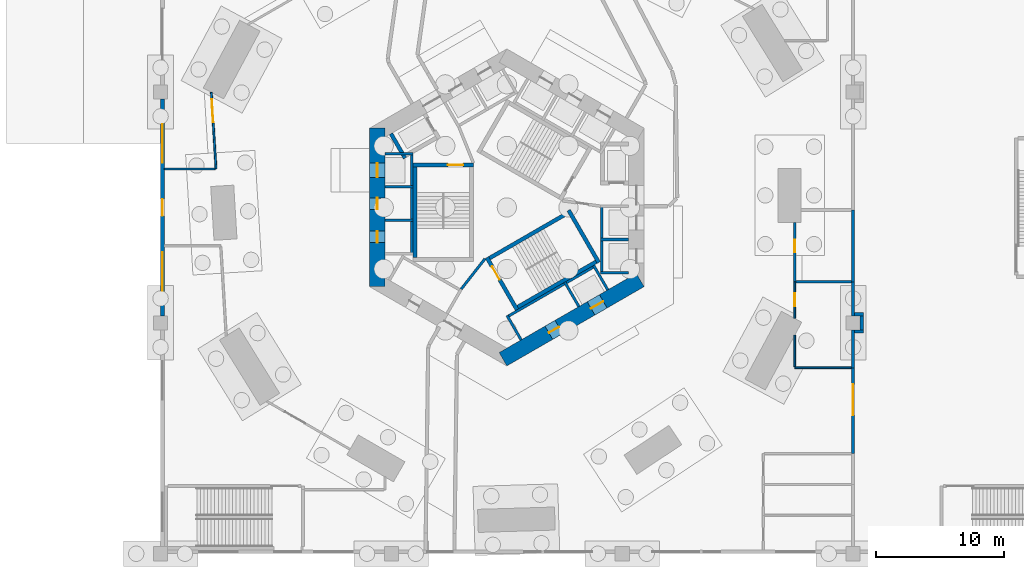
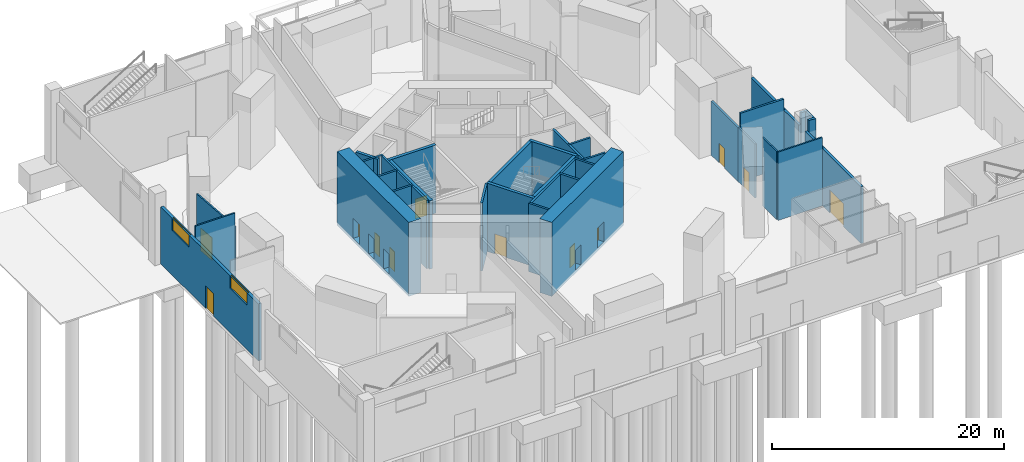
# One storey, part 7 of 16: 36 walls, 12 doors, 2 windows, 14 openings.
"""IFC4 building model written with IfcOpenShell, lengths in metres."""

import ifcopenshell
import ifcopenshell.guid

model = None  # the IFC model being written
_history = None  # IfcOwnerHistory: only IFC2X3 demands one
_inside = {}  # id of a spatial element -> (the spatial element, [elements in it])
_under = {}  # id of a project, library or spatial element -> (it, [spatial elements below it])
_declared = {}  # id of a project -> (the project, [libraries it declares])
_typed = {}  # id of a type object -> (the type object, [elements of that type])
_made_of = {}  # id of a material, layer set ... -> (it, [elements and type objects made of it])


def new_model(schema):
    """Start an empty IFC model of exactly this schema.

    Asked for "IFC4X3", IfcOpenShell would pick the latest addendum, in which some entities
    have other attributes; the version numbers below select the first issue.
    IFC2X3 requires an IfcOwnerHistory on every rooted entity: one is made here for all.
    """
    global model, _history
    if schema == "IFC4X3":
        model = ifcopenshell.file(schema_version=(4, 3, 0, 0))
    else:
        model = ifcopenshell.file(schema=schema)
    _inside.clear()
    _under.clear()
    _declared.clear()
    _typed.clear()
    _made_of.clear()
    _history = None
    if model.schema == "IFC2X3":
        org = make("IfcOrganization", Name="unknown")
        user = make(
            "IfcPersonAndOrganization",
            ThePerson=make("IfcPerson", FamilyName="unknown"),
            TheOrganization=org,
        )
        app = make(
            "IfcApplication",
            ApplicationDeveloper=org,
            Version="unknown",
            ApplicationFullName="unknown",
            ApplicationIdentifier="unknown",
        )
        _history = make(
            "IfcOwnerHistory",
            OwningUser=user,
            OwningApplication=app,
            ChangeAction="ADDED",
            CreationDate=0,
        )
    return model


def make(cls, **values):
    """One entity of the class cls with the attributes given. An attribute that is None is left unset."""
    return model.create_entity(
        cls, **{name: value for name, value in values.items() if value is not None}
    )


def rooted(cls, **values):
    """An entity with a GlobalId (a new one), such as an element, a storey or a relation."""
    return make(cls, GlobalId=ifcopenshell.guid.new(), OwnerHistory=_history, **values)


def si_unit(unit_type, name, prefix=None):
    """IfcSIUnit, for example si_unit("LENGTHUNIT", "METRE", prefix="MILLI")."""
    return make("IfcSIUnit", UnitType=unit_type, Prefix=prefix, Name=name)


def assignment(units):
    """IfcUnitAssignment: the units of a project."""
    return None if units is None else make("IfcUnitAssignment", Units=units)


def point(xyz):
    """IfcCartesianPoint."""
    return None if xyz is None else make("IfcCartesianPoint", Coordinates=xyz)


def direction(xyz):
    """IfcDirection."""
    return None if xyz is None else make("IfcDirection", DirectionRatios=xyz)


def frame(location, z_axis=None, x_axis=None):
    """IfcAxis2Placement3D, a coordinate frame: its origin and axes. An axis left out is left unset."""
    return make(
        "IfcAxis2Placement3D",
        Location=point(location),
        Axis=direction(z_axis),
        RefDirection=direction(x_axis),
    )


def frame_2d(location, x_axis=None):
    """IfcAxis2Placement2D, a coordinate frame in the plane: its origin and x axis."""
    return make(
        "IfcAxis2Placement2D", Location=point(location), RefDirection=direction(x_axis)
    )


def origin():
    """The frame at (0, 0, 0) with its axes left unset."""
    return frame((0.0, 0.0, 0.0))


def place(relative_to, where):
    """IfcLocalPlacement: puts the frame where relative to a parent placement (None: the world)."""
    return make(
        "IfcLocalPlacement", PlacementRelTo=relative_to, RelativePlacement=where
    )


def context(
    kind, dimensions, precision=None, world=None, true_north=None, identifier=None
):
    """IfcGeometricRepresentationContext, for example the 3D "Model" context."""
    return make(
        "IfcGeometricRepresentationContext",
        ContextIdentifier=identifier,
        ContextType=kind,
        CoordinateSpaceDimension=dimensions,
        Precision=precision,
        WorldCoordinateSystem=world,
        TrueNorth=true_north,
    )


def subcontext(parent, identifier, kind, view, scale=None):
    """IfcGeometricRepresentationSubContext, for example "Body" below "Model"."""
    return make(
        "IfcGeometricRepresentationSubContext",
        ContextIdentifier=identifier,
        ContextType=kind,
        ParentContext=parent,
        TargetScale=scale,
        TargetView=view,
    )


def project(units=None, contexts=None):
    """IfcProject with its units and contexts."""
    return rooted(
        "IfcProject",
        Name="project",
        RepresentationContexts=contexts,
        UnitsInContext=assignment(units),
    )


def spatial(cls, under=None, at=None, **own):
    """A site, building, storey or space (cls), placed at a placement, below another one or the project."""
    s = rooted(cls, ObjectPlacement=at, **own)
    if under is not None:
        _under.setdefault(under.id(), (under, []))[1].append(s)
    return s


def profile(cls, at=None, kind="AREA", **sizes):
    """A parametric profile (cls). Its sizes go by their IFC names, for example OverallWidth=200.0."""
    return make(cls, ProfileType=kind, Position=at, **sizes)


def rectangle(**sizes):
    """IfcRectangleProfileDef."""
    return profile("IfcRectangleProfileDef", **sizes)


def extrude(swept, where, along, depth):
    """IfcExtrudedAreaSolid: the profile swept, set in the frame where, extruded along a direction by depth."""
    return make(
        "IfcExtrudedAreaSolid",
        SweptArea=swept,
        Position=where,
        ExtrudedDirection=direction(along),
        Depth=depth,
    )


def shape(context_of_items, identifier, shape_type, items):
    """IfcShapeRepresentation: the items that make up one representation, for example the "Body"."""
    return make(
        "IfcShapeRepresentation",
        ContextOfItems=context_of_items,
        RepresentationIdentifier=identifier,
        RepresentationType=shape_type,
        Items=items,
    )


def material(Name=None, Category=None):
    """IfcMaterial."""
    return make("IfcMaterial", Name=Name, Category=Category)


def layer(
    of_material, thickness, ventilated=None, Name=None, Category=None, Priority=None
):
    """IfcMaterialLayer: one layer of a wall or slab, of a material (None: an air gap)."""
    return make(
        "IfcMaterialLayer",
        Material=of_material,
        LayerThickness=thickness,
        IsVentilated=ventilated,
        Name=Name,
        Category=Category,
        Priority=Priority,
    )


def layer_set(layers, Name=None):
    """IfcMaterialLayerSet."""
    return make("IfcMaterialLayerSet", MaterialLayers=layers, LayerSetName=Name)


def made_of(thing, what):
    """Note that an element or type object is made of a material, layer set ...; save() writes the relation."""
    if what is not None:
        _made_of.setdefault(what.id(), (what, []))[1].append(thing)
    return thing


def type_object(cls, material=None, **own):
    """A type object (cls), such as IfcWallType, which elements share."""
    return made_of(rooted(cls, **own), material)


def element(
    cls,
    number,
    at=None,
    inside=None,
    cuts=None,
    type_object=None,
    material=None,
    context=None,
    identifier="Body",
    shape_type=None,
    held_by="IfcProductDefinitionShape",
    body=None,
    shapes=None,
    **own,
):
    """One element of the class cls, such as IfcWall. Its Tag is "e" and its number.

    at: its placement. inside: the storey or other place that contains it. cuts: it is an
    opening in that element (IfcRelVoidsElement). A single representation is given by context,
    identifier, shape_type and body (its items); several are given by shapes. held_by: the class
    of the entity that holds the representations. save() writes the other relations.
    """
    e = rooted(cls, Tag="e%d" % number, ObjectPlacement=at, **own)
    if body is not None:
        shapes = [shape(context, identifier, shape_type, body)]
    if shapes is not None:
        e.Representation = make(held_by, Representations=shapes)
    if inside is not None:
        _inside.setdefault(inside.id(), (inside, []))[1].append(e)
    if cuts is not None:
        rooted(
            "IfcRelVoidsElement", RelatingBuildingElement=cuts, RelatedOpeningElement=e
        )
    if type_object is not None:
        _typed.setdefault(type_object.id(), (type_object, []))[1].append(e)
    return made_of(e, material)


def fill(opening, filler):
    """IfcRelFillsElement: the door or window that sits in an opening."""
    return rooted(
        "IfcRelFillsElement",
        RelatingOpeningElement=opening,
        RelatedBuildingElement=filler,
    )


def aggregate(whole, parts):
    """IfcRelAggregates: a whole, such as a stair, and the parts it consists of."""
    return rooted("IfcRelAggregates", RelatingObject=whole, RelatedObjects=parts)


def save(model, path):
    """Write the relations noted so far, then the file.

    IfcRelAggregates (storeys below a building ...), IfcRelContainedInSpatialStructure (elements
    in a storey), IfcRelDefinesByType, IfcRelAssociatesMaterial and IfcRelDeclares: one each for
    every whole, place, type object, material and project.
    """
    for whole, parts in _under.values():
        aggregate(whole, parts)
    for where, things in _inside.values():
        rooted(
            "IfcRelContainedInSpatialStructure",
            RelatedElements=things,
            RelatingStructure=where,
        )
    for kind, things in _typed.values():
        rooted("IfcRelDefinesByType", RelatedObjects=things, RelatingType=kind)
    for what, things in _made_of.values():
        rooted("IfcRelAssociatesMaterial", RelatedObjects=things, RelatingMaterial=what)
    for by, libraries in _declared.values():
        rooted("IfcRelDeclares", RelatingContext=by, RelatedDefinitions=libraries)
    model.write(path)


model = new_model("IFC4")

# Units and contexts
model_context = context("Model", 3, precision=1e-05, world=origin(), true_north=direction((0.0, 1.0)))
body_context = subcontext(model_context, "Body", "Model", "MODEL_VIEW")
ifc_project = project(units=[si_unit("LENGTHUNIT", "METRE"), si_unit("AREAUNIT", "SQUARE_METRE"), si_unit("VOLUMEUNIT", "CUBIC_METRE"), si_unit("PLANEANGLEUNIT", "RADIAN"), si_unit("MASSUNIT", "GRAM", prefix="KILO")], contexts=[model_context])

# Site, building, storey
site_placement = place(None, origin())
site = spatial("IfcSite", under=ifc_project, at=site_placement, CompositionType="ELEMENT")
building_placement = place(site_placement, origin())
building = spatial("IfcBuilding", under=site, at=building_placement, Name="Vanh Sen Convention Tower", CompositionType="ELEMENT")
storey_placement = place(building_placement, origin())
storey = spatial("IfcBuildingStorey", under=building, at=storey_placement, Name="L00", CompositionType="ELEMENT", Elevation=0.0)

# Wall, opening, door
ifc_material_1 = material(Name="Concrete C40/50", Category="concrete")
ifc_layer_1 = layer(ifc_material_1, 0.25)
ifc_layer_set_1 = layer_set([ifc_layer_1], Name="Concrete C40/50")
wall_type_1 = type_object("IfcWallType", Name="Concrete wall 250 EI 180", PredefinedType="SOLIDWALL", material=ifc_layer_set_1)
wall_1_placement = place(storey_placement, frame((27.0, -19.199951171875, 0.0), z_axis=(0.0, 0.0, 1.0), x_axis=(0.0, 1.0, 0.0)))
wall_1 = element("IfcWall", 1, at=wall_1_placement, inside=storey, type_object=wall_type_1, Name="Fire-resisting wall L00-020", PredefinedType="SOLIDWALL", context=body_context, shape_type="SweptSolid", body=[
    extrude(rectangle(XDim=6.699951171875, YDim=0.25, at=frame_2d((3.35009765625, 0.0))), origin(), (0.0, 0.0, 1.0), 6.0),
])
opening_1_placement = place(wall_1_placement, frame((3.0, 0.0, 0.0)))
opening_1 = element("IfcOpeningElement", 2, at=opening_1_placement, cuts=wall_1, Name="Opening D00106", PredefinedType="OPENING", context=body_context, shape_type="SweptSolid", body=[
    extrude(rectangle(XDim=2.39990234375, YDim=2.39990234375, at=frame_2d((1.199951171875, 1.199951171875))), frame((0.0, 0.135009765625, 0.0), z_axis=(0.0, -1.0, 0.0), x_axis=(1.0, 0.0, 0.0)), (0.0, 0.0, 1.0), 0.27001953125),
])
ifc_material_2 = material(Name="Timber door in steel frame", Category="steel")
door_type_1 = type_object("IfcDoorType", Name="Double door 2400 EI 60", OperationType="DOUBLE_DOOR_SINGLE_SWING", PredefinedType="DOOR", material=ifc_material_2)
door_1_placement = place(opening_1_placement, origin())
door_1 = element("IfcDoor", 3, at=door_1_placement, inside=storey, type_object=door_type_1, Name="Double door D00106", OperationType="DOUBLE_DOOR_SINGLE_SWING", OverallHeight=2.39990234375, OverallWidth=2.39990234375, PredefinedType="DOOR", context=body_context, shape_type="SweptSolid", body=[
    extrude(rectangle(XDim=2.39990234375, YDim=2.39990234375, at=frame_2d((1.199951171875, 1.199951171875))), frame((0.0, 0.02490234375, 0.0), z_axis=(0.0, -1.0, 0.0), x_axis=(1.0, 0.0, 0.0)), (0.0, 0.0, 1.0), 0.050048828125),
])
fill(opening_1, door_1)

# Walls
wall_2_placement = place(storey_placement, frame((27.0, -12.5, 0.0), z_axis=(0.0, 0.0, 1.0), x_axis=(0.0, 1.0, 0.0)))
element("IfcWall", 4, at=wall_2_placement, inside=storey, type_object=wall_type_1, Name="Fire-resisting wall L00-023", PredefinedType="SOLIDWALL", context=body_context, shape_type="SweptSolid", body=[
    extrude(rectangle(XDim=2.949951171875, YDim=0.25, at=frame_2d((1.47509765625, 0.0))), origin(), (0.0, 0.0, 1.0), 6.0),
])
wall_3_placement = place(storey_placement, frame((27.125, -9.675048828125, 0.0), z_axis=(0.0, 0.0, 1.0), x_axis=(1.0, 0.0, 0.0)))
element("IfcWall", 5, at=wall_3_placement, inside=storey, type_object=wall_type_1, Name="Fire-resisting wall L00-029", PredefinedType="SOLIDWALL", context=body_context, shape_type="SweptSolid", body=[
    extrude(rectangle(XDim=0.677001953125, YDim=0.25, at=frame_2d((0.33837890625, 0.0))), origin(), (0.0, 0.0, 1.0), 7.199951171875),
])
wall_4_placement = place(storey_placement, frame((27.677001953125, -9.550048828125, 0.0), z_axis=(0.0, 0.0, 1.0), x_axis=(0.0, 1.0, 0.0)))
element("IfcWall", 6, at=wall_4_placement, inside=storey, type_object=wall_type_1, Name="Fire-resisting wall L00-030", PredefinedType="SOLIDWALL", context=body_context, shape_type="SweptSolid", body=[
    extrude(rectangle(XDim=1.10009765625, YDim=0.25, at=frame_2d((0.550048828125, 0.0))), origin(), (0.0, 0.0, 1.0), 7.199951171875),
])
wall_5_placement = place(storey_placement, frame((27.0, -8.449951171875, 0.0), z_axis=(0.0, 0.0, 1.0), x_axis=(0.0, 1.0, 0.0)))
element("IfcWall", 7, at=wall_5_placement, inside=storey, type_object=wall_type_1, Name="Fire-resisting wall L00-032", PredefinedType="SOLIDWALL", context=body_context, shape_type="SweptSolid", body=[
    extrude(rectangle(XDim=2.64990234375, YDim=0.25, at=frame_2d((1.324951171875, 0.0))), origin(), (0.0, 0.0, 1.0), 6.0),
])
wall_6_placement = place(storey_placement, frame((27.125, -8.324951171875, 0.0), z_axis=(0.0, 0.0, 1.0), x_axis=(1.0, 0.0, 0.0)))
element("IfcWall", 8, at=wall_6_placement, inside=storey, type_object=wall_type_1, Name="Fire-resisting wall L00-033", PredefinedType="SOLIDWALL", context=body_context, shape_type="SweptSolid", body=[
    extrude(rectangle(XDim=0.677001953125, YDim=0.25, at=frame_2d((0.33837890625, 0.0))), origin(), (0.0, 0.0, 1.0), 7.199951171875),
])
wall_7_placement = place(storey_placement, frame((27.0, -5.800048828125, 0.0), z_axis=(0.0, 0.0, 1.0), x_axis=(0.0, 1.0, 0.0)))
element("IfcWall", 9, at=wall_7_placement, inside=storey, type_object=wall_type_1, Name="Fire-resisting wall L00-036", PredefinedType="SOLIDWALL", context=body_context, shape_type="SweptSolid", body=[
    extrude(rectangle(XDim=5.60009765625, YDim=0.25, at=frame_2d((2.800048828125, 0.0))), origin(), (0.0, 0.0, 1.0), 6.0),
])

# Wall, openings, doors
ifc_material_3 = material(Name="Concrete C80/95", Category="concrete")
ifc_layer_2 = layer(ifc_material_3, 1.199951171875)
ifc_layer_set_2 = layer_set([ifc_layer_2], Name="Concrete C80/95")
wall_type_2 = type_object("IfcWallType", Name="Core outer wall 1200 C80/95", PredefinedType="SHEAR", material=ifc_layer_set_2)
wall_8_placement = place(storey_placement, frame((-10.10009765625, 6.177490234375, -0.300048828125), z_axis=(0.0, 0.0, 1.0), x_axis=(0.0, -1.0, 0.0)))
wall_8 = element("IfcWall", 10, at=wall_8_placement, inside=storey, type_object=wall_type_2, Name="Core wall face W L00", PredefinedType="SHEAR", context=body_context, shape_type="SweptSolid", body=[
    extrude(rectangle(XDim=12.35498046875, YDim=1.199951171875, at=frame_2d((6.177490234375, 0.0))), origin(), (0.0, 0.0, 1.0), 7.800048828125),
])
opening_2_placement = place(wall_8_placement, frame((5.427490234375, 0.0, 0.300048828125)))
opening_2 = element("IfcOpeningElement", 11, at=opening_2_placement, cuts=wall_8, Name="Opening D00008", PredefinedType="OPENING", context=body_context, shape_type="SweptSolid", body=[
    extrude(rectangle(XDim=0.89990234375, YDim=2.10009765625, at=frame_2d((0.449951171875, 1.050048828125))), frame((0.0, 0.60986328125, 0.0), z_axis=(0.0, -1.0, 0.0), x_axis=(1.0, 0.0, 0.0)), (0.0, 0.0, 1.0), 1.219970703125),
])
opening_3_placement = place(wall_8_placement, frame((8.027587890625, 0.0, 0.300048828125)))
opening_3 = element("IfcOpeningElement", 12, at=opening_3_placement, cuts=wall_8, Name="Opening D00009", PredefinedType="OPENING", context=body_context, shape_type="SweptSolid", body=[
    extrude(rectangle(XDim=0.89990234375, YDim=2.10009765625, at=frame_2d((0.449951171875, 1.050048828125))), frame((0.0, 0.60986328125, 0.0), z_axis=(0.0, -1.0, 0.0), x_axis=(1.0, 0.0, 0.0)), (0.0, 0.0, 1.0), 1.219970703125),
])
opening_4_placement = place(wall_8_placement, frame((2.7275390625, 0.0, 0.300048828125)))
opening_4 = element("IfcOpeningElement", 13, at=opening_4_placement, cuts=wall_8, Name="Opening LD-SH2", PredefinedType="OPENING", context=body_context, shape_type="SweptSolid", body=[
    extrude(rectangle(XDim=1.10009765625, YDim=2.10009765625, at=frame_2d((0.550048828125, 1.050048828125))), frame((0.0, 0.60986328125, 0.0), z_axis=(0.0, -1.0, 0.0), x_axis=(1.0, 0.0, 0.0)), (0.0, 0.0, 1.0), 1.219970703125),
])
ifc_material_4 = material(Name="Stainless steel", Category="steel")
door_type_2 = type_object("IfcDoorType", Name="Lift landing door 1100", OperationType="DOUBLE_DOOR_SLIDING", PredefinedType="DOOR", material=ifc_material_4)
door_2_placement = place(opening_4_placement, origin())
door_2 = element("IfcDoor", 14, at=door_2_placement, inside=storey, type_object=door_type_2, Name="Lift SH2 landing door LD-SH2", OperationType="DOUBLE_DOOR_SLIDING", OverallHeight=2.10009765625, OverallWidth=1.10009765625, PredefinedType="DOOR", context=body_context, shape_type="SweptSolid", body=[
    extrude(rectangle(XDim=1.10009765625, YDim=2.10009765625, at=frame_2d((0.550048828125, 1.050048828125))), frame((0.0, 0.02490234375, 0.0), z_axis=(0.0, -1.0, 0.0), x_axis=(1.0, 0.0, 0.0)), (0.0, 0.0, 1.0), 0.050048828125),
])
fill(opening_4, door_2)
ifc_material_5 = material(Name="Steel S355", Category="steel")
door_type_3 = type_object("IfcDoorType", Name="Plant door 900", OperationType="SINGLE_SWING_LEFT", PredefinedType="DOOR", material=ifc_material_5)
door_3_placement = place(opening_2_placement, origin())
door_3 = element("IfcDoor", 15, at=door_3_placement, inside=storey, type_object=door_type_3, Name="Plant door D00008", OperationType="SINGLE_SWING_LEFT", OverallHeight=2.10009765625, OverallWidth=0.89990234375, PredefinedType="DOOR", context=body_context, shape_type="SweptSolid", body=[
    extrude(rectangle(XDim=0.89990234375, YDim=2.10009765625, at=frame_2d((0.449951171875, 1.050048828125))), frame((0.0, 0.02490234375, 0.0), z_axis=(0.0, -1.0, 0.0), x_axis=(1.0, 0.0, 0.0)), (0.0, 0.0, 1.0), 0.050048828125),
])
fill(opening_2, door_3)
door_4_placement = place(opening_3_placement, origin())
door_4 = element("IfcDoor", 16, at=door_4_placement, inside=storey, type_object=door_type_3, Name="Plant door D00009", OperationType="SINGLE_SWING_LEFT", OverallHeight=2.10009765625, OverallWidth=0.89990234375, PredefinedType="DOOR", context=body_context, shape_type="SweptSolid", body=[
    extrude(rectangle(XDim=0.89990234375, YDim=2.10009765625, at=frame_2d((0.449951171875, 1.050048828125))), frame((0.0, 0.02490234375, 0.0), z_axis=(0.0, -1.0, 0.0), x_axis=(1.0, 0.0, 0.0)), (0.0, 0.0, 1.0), 0.050048828125),
])
fill(opening_3, door_4)

wall_9_placement = place(storey_placement, frame((-0.300048828125, -11.835693359375, -0.300048828125), z_axis=(0.0, 0.0, 1.0), x_axis=(0.866021384402, 0.500006961711, 0.0)))
wall_9 = element("IfcWall", 17, at=wall_9_placement, inside=storey, type_object=wall_type_2, Name="Core wall face SE L00", PredefinedType="SHEAR", context=body_context, shape_type="SweptSolid", body=[
    extrude(rectangle(XDim=12.355224609375, YDim=1.199951171875, at=frame_2d((6.177734375, 0.0))), origin(), (0.0, 0.0, 1.0), 7.800048828125),
])
opening_5_placement = place(wall_9_placement, frame((4.127685546875, 0.0, 0.300048828125)))
opening_5 = element("IfcOpeningElement", 18, at=opening_5_placement, cuts=wall_9, Name="Opening D00011", PredefinedType="OPENING", context=body_context, shape_type="SweptSolid", body=[
    extrude(rectangle(XDim=0.89990234375, YDim=2.10009765625, at=frame_2d((0.449951171875, 1.050048828125))), frame((0.0, 0.60986328125, 0.0), z_axis=(0.0, -1.0, 0.0), x_axis=(1.0, 0.0, 0.0)), (0.0, 0.0, 1.0), 1.219970703125),
])
opening_6_placement = place(wall_9_placement, frame((7.927734375, 0.0, 0.300048828125)))
opening_6 = element("IfcOpeningElement", 19, at=opening_6_placement, cuts=wall_9, Name="Opening LD-SV1", PredefinedType="OPENING", context=body_context, shape_type="SweptSolid", body=[
    extrude(rectangle(XDim=1.10009765625, YDim=2.10009765625, at=frame_2d((0.550048828125, 1.050048828125))), frame((0.0, 0.60986328125, 0.0), z_axis=(0.0, -1.0, 0.0), x_axis=(1.0, 0.0, 0.0)), (0.0, 0.0, 1.0), 1.219970703125),
])
door_5_placement = place(opening_6_placement, origin())
door_5 = element("IfcDoor", 20, at=door_5_placement, inside=storey, type_object=door_type_2, Name="Lift SV1 landing door LD-SV1", OperationType="DOUBLE_DOOR_SLIDING", OverallHeight=2.10009765625, OverallWidth=1.10009765625, PredefinedType="DOOR", context=body_context, shape_type="SweptSolid", body=[
    extrude(rectangle(XDim=1.10009765625, YDim=2.10009765625, at=frame_2d((0.550048828125, 1.050048828125))), frame((0.0, 0.02490234375, 0.0), z_axis=(0.0, -1.0, 0.0), x_axis=(1.0, 0.0, 0.0)), (0.0, 0.0, 1.0), 0.050048828125),
])
fill(opening_6, door_5)
door_6_placement = place(opening_5_placement, origin())
door_6 = element("IfcDoor", 21, at=door_6_placement, inside=storey, type_object=door_type_3, Name="Plant door D00011", OperationType="SINGLE_SWING_LEFT", OverallHeight=2.10009765625, OverallWidth=0.89990234375, PredefinedType="DOOR", context=body_context, shape_type="SweptSolid", body=[
    extrude(rectangle(XDim=0.89990234375, YDim=2.10009765625, at=frame_2d((0.449951171875, 1.050048828125))), frame((0.0, 0.02490234375, 0.0), z_axis=(0.0, -1.0, 0.0), x_axis=(1.0, 0.0, 0.0)), (0.0, 0.0, 1.0), 0.050048828125),
])
fill(opening_5, door_6)

# Walls
ifc_material_6 = material(Name="Concrete C60/75", Category="concrete")
ifc_layer_3 = layer(ifc_material_6, 0.300048828125)
ifc_layer_set_3 = layer_set([ifc_layer_3], Name="Concrete C60/75")
wall_type_3 = type_object("IfcWallType", Name="Fire-fighting lift shaft wall 300", PredefinedType="SHEAR", material=ifc_layer_set_3)
wall_10_placement = place(storey_placement, frame((-7.936767578125, 3.846923828125, 0.0), z_axis=(0.0, 0.0, 1.0), x_axis=(-0.50002983664, 0.866008176907, 0.0)))
element("IfcWall", 22, at=wall_10_placement, inside=storey, type_object=wall_type_3, Name="Fire-fighting lift shaft wall L00", PredefinedType="SHEAR", context=body_context, shape_type="SweptSolid", body=[
    extrude(rectangle(XDim=2.199951171875, YDim=0.300048828125, at=frame_2d((1.10009765625, 0.0))), origin(), (0.0, 0.0, 1.0), 7.199951171875),
])
ifc_layer_4 = layer(ifc_material_1, 0.199951171875)
ifc_layer_set_4 = layer_set([ifc_layer_4], Name="Concrete C40/50")
wall_type_4 = type_object("IfcWallType", Name="Lift shaft wall 200", PredefinedType="PARTITIONING", material=ifc_layer_set_4)
wall_11_placement = place(storey_placement, frame((7.39990234375, -5.199951171875, 0.0), z_axis=(0.0, 0.0, 1.0), x_axis=(0.0, 1.0, 0.0)))
element("IfcWall", 23, at=wall_11_placement, inside=storey, type_object=wall_type_4, Name="Lift shaft wall L00", PredefinedType="PARTITIONING", context=body_context, shape_type="SweptSolid", body=[
    extrude(rectangle(XDim=5.39990234375, YDim=0.199951171875, at=frame_2d((2.699951171875, 0.0))), origin(), (0.0, 0.0, 1.0), 7.199951171875),
])
for number, where, z_axis, x_axis, name in (
    (24, (7.300048828125, -5.10009765625, 0.0), (0.0, 0.0, 1.0), (1.0, 0.0, 0.0), "Lift shaft wall L00"),
    (25, (7.300048828125, -2.5, 0.0), (0.0, 0.0, 1.0), (1.0, 0.0, 0.0), "Lift shaft wall L00"),
):
    element("IfcWall", number, at=place(storey_placement, frame(where, z_axis=z_axis, x_axis=x_axis)), inside=storey, type_object=wall_type_4, Name=name, PredefinedType="PARTITIONING", context=body_context, shape_type="SweptSolid", body=[
        extrude(rectangle(XDim=2.199951171875, YDim=0.199951171875, at=frame_2d((1.10009765625, 0.0))), origin(), (0.0, 0.0, 1.0), 7.199951171875),
    ])
wall_12_placement = place(storey_placement, frame((-7.39990234375, 4.300048828125, 0.0), z_axis=(0.0, 0.0, 1.0), x_axis=(0.0, -1.0, 0.0)))
element("IfcWall", 26, at=wall_12_placement, inside=storey, type_object=wall_type_4, Name="Lift shaft wall L00", PredefinedType="PARTITIONING", context=body_context, shape_type="SweptSolid", body=[
    extrude(rectangle(XDim=8.0, YDim=0.199951171875, at=frame_2d((4.0, 0.0))), origin(), (0.0, 0.0, 1.0), 7.199951171875),
])
for number, where, z_axis, x_axis, name in (
    (27, (-7.300048828125, 4.199951171875, 0.0), (0.0, 0.0, 1.0), (-1.0, 0.0, 0.0), "Lift shaft wall L00"),
    (28, (-7.300048828125, 1.60009765625, 0.0), (0.0, 0.0, 1.0), (-1.0, 0.0, 0.0), "Lift shaft wall L00"),
    (29, (-7.300048828125, -1.0, 0.0), (0.0, 0.0, 1.0), (-1.0, 0.0, 0.0), "Lift shaft wall L00"),
):
    element("IfcWall", number, at=place(storey_placement, frame(where, z_axis=z_axis, x_axis=x_axis)), inside=storey, type_object=wall_type_4, Name=name, PredefinedType="PARTITIONING", context=body_context, shape_type="SweptSolid", body=[
        extrude(rectangle(XDim=2.199951171875, YDim=0.199951171875, at=frame_2d((1.10009765625, 0.0))), origin(), (0.0, 0.0, 1.0), 7.199951171875),
    ])
wall_13_placement = place(storey_placement, frame((-0.02392578125, -8.55859375, 0.0), z_axis=(0.0, 0.0, 1.0), x_axis=(0.866026010844, 0.49999894854, 0.0)))
element("IfcWall", 30, at=wall_13_placement, inside=storey, type_object=wall_type_4, Name="Lift shaft wall L00", PredefinedType="PARTITIONING", context=body_context, shape_type="SweptSolid", body=[
    extrude(rectangle(XDim=8.0, YDim=0.199951171875, at=frame_2d((4.0, 0.0))), origin(), (0.0, 0.0, 1.0), 7.199951171875),
])
for number, where, z_axis, x_axis, name in (
    (31, (0.0126953125, -8.422119140625, 0.0), (0.0, 0.0, 1.0), (0.500077893725, -0.86598042715, 0.0), "Lift shaft wall L00"),
    (32, (4.51611328125, -5.822021484375, 0.0), (0.0, 0.0, 1.0), (0.499946605688, -0.86605622881, 0.0), "Lift shaft wall L00"),
    (33, (6.767578125, -4.52197265625, 0.0), (0.0, 0.0, 1.0), (0.50002983664, -0.866008176907, 0.0), "Lift shaft wall L00"),
):
    element("IfcWall", number, at=place(storey_placement, frame(where, z_axis=z_axis, x_axis=x_axis)), inside=storey, type_object=wall_type_4, Name=name, PredefinedType="PARTITIONING", context=body_context, shape_type="SweptSolid", body=[
        extrude(rectangle(XDim=2.199951171875, YDim=0.199951171875, at=frame_2d((1.10009765625, 0.0))), origin(), (0.0, 0.0, 1.0), 7.199951171875),
    ])
ifc_material_7 = material(Name="Gypsum board on steel studs", Category="steel")
ifc_layer_5 = layer(ifc_material_7, 0.14990234375)
ifc_layer_set_5 = layer_set([ifc_layer_5], Name="Gypsum board on steel studs")
wall_type_5 = type_object("IfcWallType", Name="Partition 150 EI 60", PredefinedType="PARTITIONING", material=ifc_layer_set_5)
wall_14_placement = place(storey_placement, frame((26.860107421875, -12.5, 0.0), z_axis=(0.0, 0.0, 1.0), x_axis=(-1.0, 0.0, 0.0)))
element("IfcWall", 34, at=wall_14_placement, inside=storey, type_object=wall_type_5, Name="Partition L00-022", PredefinedType="PARTITIONING", context=body_context, shape_type="SweptSolid", body=[
    extrude(rectangle(XDim=4.41015625, YDim=0.14990234375, at=frame_2d((2.205078125, 0.0))), origin(), (0.0, 0.0, 1.0), 7.199951171875),
])
wall_15_placement = place(storey_placement, frame((22.449951171875, -12.419921875, 0.0), z_axis=(0.0, 0.0, 1.0), x_axis=(0.0, 1.0, 0.0)))
element("IfcWall", 35, at=wall_15_placement, inside=storey, type_object=wall_type_5, Name="Partition L00-024", PredefinedType="PARTITIONING", context=body_context, shape_type="SweptSolid", body=[
    extrude(rectangle(XDim=2.46435546875, YDim=0.14990234375, at=frame_2d((1.232177734375, 0.0))), origin(), (0.0, 0.0, 1.0), 7.199951171875),
])

# Wall, opening, door
wall_16_placement = place(storey_placement, frame((22.449951171875, -8.656982421875, 0.0), z_axis=(0.0, 0.0, 1.0), x_axis=(0.0, 1.0, 0.0)))
wall_16 = element("IfcWall", 36, at=wall_16_placement, inside=storey, type_object=wall_type_5, Name="Partition L00-031", PredefinedType="PARTITIONING", context=body_context, shape_type="SweptSolid", body=[
    extrude(rectangle(XDim=2.85693359375, YDim=0.14990234375, at=frame_2d((1.428466796875, 0.0))), origin(), (0.0, 0.0, 1.0), 5.699951171875),
])
opening_7_placement = place(wall_16_placement, frame((0.95703125, 0.0, 0.0)))
opening_7 = element("IfcOpeningElement", 37, at=opening_7_placement, cuts=wall_16, Name="Opening D00108", PredefinedType="OPENING", context=body_context, shape_type="SweptSolid", body=[
    extrude(rectangle(XDim=1.0, YDim=2.10009765625, at=frame_2d((0.5, 1.050048828125))), frame((0.0, 0.0849609375, 0.0), z_axis=(0.0, -1.0, 0.0), x_axis=(1.0, 0.0, 0.0)), (0.0, 0.0, 1.0), 0.169921875),
])
door_type_4 = type_object("IfcDoorType", Name="Room door 1000 EI 30", OperationType="SINGLE_SWING_LEFT", PredefinedType="DOOR", material=ifc_material_2)
door_7_placement = place(opening_7_placement, origin())
door_7 = element("IfcDoor", 38, at=door_7_placement, inside=storey, type_object=door_type_4, Name="Room door D00108", OperationType="SINGLE_SWING_LEFT", OverallHeight=2.10009765625, OverallWidth=1.0, PredefinedType="DOOR", context=body_context, shape_type="SweptSolid", body=[
    extrude(rectangle(XDim=1.0, YDim=2.10009765625, at=frame_2d((0.5, 1.050048828125))), frame((0.0, 0.02490234375, 0.0), z_axis=(0.0, -1.0, 0.0), x_axis=(1.0, 0.0, 0.0)), (0.0, 0.0, 1.0), 0.050048828125),
])
fill(opening_7, door_7)

# Wall
wall_17_placement = place(storey_placement, frame((-22.755615234375, 3.0, 0.0), z_axis=(0.0, 0.0, 1.0), x_axis=(-1.0, 0.0, 0.0)))
element("IfcWall", 39, at=wall_17_placement, inside=storey, type_object=wall_type_5, Name="Partition L00-045", PredefinedType="PARTITIONING", context=body_context, shape_type="SweptSolid", body=[
    extrude(rectangle(XDim=3.9443359375, YDim=0.14990234375, at=frame_2d((1.97216796875, 0.0))), origin(), (0.0, 0.0, 1.0), 7.199951171875),
])

# Wall, opening, door
wall_18_placement = place(storey_placement, frame((-23.041015625, 8.974609375, 0.0), z_axis=(0.0, 0.0, 1.0), x_axis=(0.061057818877, -0.99813423083, 0.0)))
wall_18 = element("IfcWall", 40, at=wall_18_placement, inside=storey, type_object=wall_type_5, Name="Partition L00-051", PredefinedType="PARTITIONING", context=body_context, shape_type="SweptSolid", body=[
    extrude(rectangle(XDim=5.98583984375, YDim=0.14990234375, at=frame_2d((2.992919921875, 0.0))), origin(), (0.0, 0.0, 1.0), 5.699951171875),
])
opening_8_placement = place(wall_18_placement, frame((0.550048828125, 0.0, 0.0)))
opening_8 = element("IfcOpeningElement", 41, at=opening_8_placement, cuts=wall_18, Name="Opening D00111", PredefinedType="OPENING", context=body_context, shape_type="SweptSolid", body=[
    extrude(rectangle(XDim=1.800048828125, YDim=2.39990234375, at=frame_2d((0.89990234375, 1.199951171875))), frame((0.0, 0.0849609375, 0.0), z_axis=(0.0, -1.0, 0.0), x_axis=(1.0, 0.0, 0.0)), (0.0, 0.0, 1.0), 0.169921875),
])
door_type_5 = type_object("IfcDoorType", Name="Double door 1800 EI 30", OperationType="DOUBLE_DOOR_SINGLE_SWING", PredefinedType="DOOR", material=ifc_material_2)
door_8_placement = place(opening_8_placement, origin())
door_8 = element("IfcDoor", 42, at=door_8_placement, inside=storey, type_object=door_type_5, Name="Double door D00111", OperationType="DOUBLE_DOOR_SINGLE_SWING", OverallHeight=2.39990234375, OverallWidth=1.800048828125, PredefinedType="DOOR", context=body_context, shape_type="SweptSolid", body=[
    extrude(rectangle(XDim=1.800048828125, YDim=2.39990234375, at=frame_2d((0.89990234375, 1.199951171875))), frame((0.0, 0.02490234375, 0.0), z_axis=(0.0, -1.0, 0.0), x_axis=(1.0, 0.0, 0.0)), (0.0, 0.0, 1.0), 0.050048828125),
])
fill(opening_8, door_8)

ifc_material_8 = material(Name="Concrete C20/25", Category="concrete")
ifc_layer_6 = layer(ifc_material_8, 0.199951171875)
ifc_layer_set_6 = layer_set([ifc_layer_6], Name="Concrete C20/25")
wall_type_6 = type_object("IfcWallType", Name="Partition 200 EI 120", PredefinedType="PARTITIONING", material=ifc_layer_set_6)
wall_19_placement = place(storey_placement, frame((22.449951171875, -5.800048828125, 0.0), z_axis=(0.0, 0.0, 1.0), x_axis=(0.0, 1.0, 0.0)))
wall_19 = element("IfcWall", 43, at=wall_19_placement, inside=storey, type_object=wall_type_6, Name="Partition L00-034", PredefinedType="PARTITIONING", context=body_context, shape_type="SweptSolid", body=[
    extrude(rectangle(XDim=4.63720703125, YDim=0.199951171875, at=frame_2d((2.318603515625, 0.0))), origin(), (0.0, 0.0, 1.0), 5.699951171875),
])
opening_9_placement = place(wall_19_placement, frame((2.300048828125, 0.0, 0.0)))
opening_9 = element("IfcOpeningElement", 44, at=opening_9_placement, cuts=wall_19, Name="Opening D00109", PredefinedType="OPENING", context=body_context, shape_type="SweptSolid", body=[
    extrude(rectangle(XDim=1.0, YDim=2.10009765625, at=frame_2d((0.5, 1.050048828125))), frame((0.0, 0.10986328125, 0.0), z_axis=(0.0, -1.0, 0.0), x_axis=(1.0, 0.0, 0.0)), (0.0, 0.0, 1.0), 0.219970703125),
])
ifc_material_9 = material(Name="Steel S355", Category="steel")
door_type_6 = type_object("IfcDoorType", Name="Control room door 1000 EI 60", OperationType="SINGLE_SWING_LEFT", PredefinedType="DOOR", material=ifc_material_9)
door_9_placement = place(opening_9_placement, origin())
door_9 = element("IfcDoor", 45, at=door_9_placement, inside=storey, type_object=door_type_6, Name="Control room door D00109", OperationType="SINGLE_SWING_LEFT", OverallHeight=2.10009765625, OverallWidth=1.0, PredefinedType="DOOR", context=body_context, shape_type="SweptSolid", body=[
    extrude(rectangle(XDim=1.0, YDim=2.10009765625, at=frame_2d((0.5, 1.050048828125))), frame((0.0, 0.02490234375, 0.0), z_axis=(0.0, -1.0, 0.0), x_axis=(1.0, 0.0, 0.0)), (0.0, 0.0, 1.0), 0.050048828125),
])
fill(opening_9, door_9)

# Wall
wall_20_placement = place(storey_placement, frame((26.860107421875, -5.800048828125, 0.0), z_axis=(0.0, 0.0, 1.0), x_axis=(-1.0, 0.0, 0.0)))
element("IfcWall", 46, at=wall_20_placement, inside=storey, type_object=wall_type_6, Name="Partition L00-035", PredefinedType="PARTITIONING", context=body_context, shape_type="SweptSolid", body=[
    extrude(rectangle(XDim=4.31005859375, YDim=0.199951171875, at=frame_2d((2.155029296875, 0.0))), origin(), (0.0, 0.0, 1.0), 7.199951171875),
])

# Wall, openings, door, windows
ifc_material_10 = material(Name="Concrete C50/60", Category="concrete")
ifc_layer_7 = layer(ifc_material_10, 0.300048828125)
ifc_layer_set_7 = layer_set([ifc_layer_7], Name="Concrete C50/60")
wall_type_7 = type_object("IfcWallType", Name="Podium wall 300", PredefinedType="STANDARD", material=ifc_layer_set_7)
wall_21_placement = place(storey_placement, frame((-26.85009765625, 8.449951171875, 0.0), z_axis=(0.0, 0.0, 1.0), x_axis=(0.0, -1.0, 0.0)))
wall_21 = element("IfcWall", 47, at=wall_21_placement, inside=storey, type_object=wall_type_7, Name="Podium wall W2 L00", PredefinedType="STANDARD", context=body_context, shape_type="SweptSolid", body=[
    extrude(rectangle(XDim=16.89990234375, YDim=0.300048828125, at=frame_2d((8.449951171875, 0.0))), origin(), (0.0, 0.0, 1.0), 6.0),
])
opening_10_placement = place(wall_21_placement, frame((1.949951171875, 0.0, 4.699951171875)))
opening_10 = element("IfcOpeningElement", 48, at=opening_10_placement, cuts=wall_21, Name="Opening WP1-W3", PredefinedType="OPENING", context=body_context, shape_type="SweptSolid", body=[
    extrude(rectangle(XDim=3.0, YDim=1.300048828125, at=frame_2d((1.5, 0.64990234375))), frame((0.0, 0.159912109375, 0.0), z_axis=(0.0, -1.0, 0.0), x_axis=(1.0, 0.0, 0.0)), (0.0, 0.0, 1.0), 0.320068359375),
])
opening_11_placement = place(wall_21_placement, frame((11.949951171875, 0.0, 4.699951171875)))
opening_11 = element("IfcOpeningElement", 49, at=opening_11_placement, cuts=wall_21, Name="Opening WP1-W4", PredefinedType="OPENING", context=body_context, shape_type="SweptSolid", body=[
    extrude(rectangle(XDim=3.0, YDim=1.300048828125, at=frame_2d((1.5, 0.64990234375))), frame((0.0, 0.159912109375, 0.0), z_axis=(0.0, -1.0, 0.0), x_axis=(1.0, 0.0, 0.0)), (0.0, 0.0, 1.0), 0.320068359375),
])
opening_12_placement = place(wall_21_placement, frame((7.800048828125, 0.0, 0.0)))
opening_12 = element("IfcOpeningElement", 50, at=opening_12_placement, cuts=wall_21, Name="Opening EX16", PredefinedType="OPENING", context=body_context, shape_type="SweptSolid", body=[
    extrude(rectangle(XDim=1.300048828125, YDim=2.39990234375, at=frame_2d((0.64990234375, 1.199951171875))), frame((0.0, 0.159912109375, 0.0), z_axis=(0.0, -1.0, 0.0), x_axis=(1.0, 0.0, 0.0)), (0.0, 0.0, 1.0), 0.320068359375),
])
ifc_material_11 = material(Name="Aluminium and glass entrance door", Category="aluminium")
door_type_7 = type_object("IfcDoorType", Name="Entrance door 1300", OperationType="SINGLE_SWING_LEFT", PredefinedType="DOOR", material=ifc_material_11)
door_10_placement = place(opening_12_placement, frame((1.300048828125, 0.0, 0.0), z_axis=(0.0, 0.0, 1.0), x_axis=(-1.0, 0.0, 0.0)))
door_10 = element("IfcDoor", 51, at=door_10_placement, inside=storey, type_object=door_type_7, Name="Entrance door EX16", OperationType="SINGLE_SWING_RIGHT", OverallHeight=2.39990234375, OverallWidth=1.300048828125, PredefinedType="DOOR", context=body_context, shape_type="SweptSolid", body=[
    extrude(rectangle(XDim=1.300048828125, YDim=2.39990234375, at=frame_2d((0.64990234375, 1.199951171875))), frame((0.0, 0.02490234375, 0.0), z_axis=(0.0, -1.0, 0.0), x_axis=(1.0, 0.0, 0.0)), (0.0, 0.0, 1.0), 0.050048828125),
])
fill(opening_12, door_10)
ifc_material_12 = material(Name="Aluminium frame with clear low-emissivity glass", Category="aluminium")
window_type = type_object("IfcWindowType", Name="Podium window 3000 x 1300", PartitioningType="SINGLE_PANEL", PredefinedType="WINDOW", material=ifc_material_12)
window_1_placement = place(opening_10_placement, origin())
window_1 = element("IfcWindow", 52, at=window_1_placement, inside=storey, type_object=window_type, Name="Window WP1-W3", OverallHeight=1.300048828125, OverallWidth=3.0, PartitioningType="SINGLE_PANEL", PredefinedType="WINDOW", context=body_context, shape_type="SweptSolid", body=[
    extrude(rectangle(XDim=3.0, YDim=1.300048828125, at=frame_2d((1.5, 0.64990234375))), frame((0.0, 0.030029296875, 0.0), z_axis=(0.0, -1.0, 0.0), x_axis=(1.0, 0.0, 0.0)), (0.0, 0.0, 1.0), 0.06005859375),
])
fill(opening_10, window_1)
window_2_placement = place(opening_11_placement, origin())
window_2 = element("IfcWindow", 53, at=window_2_placement, inside=storey, type_object=window_type, Name="Window WP1-W4", OverallHeight=1.300048828125, OverallWidth=3.0, PartitioningType="SINGLE_PANEL", PredefinedType="WINDOW", context=body_context, shape_type="SweptSolid", body=[
    extrude(rectangle(XDim=3.0, YDim=1.300048828125, at=frame_2d((1.5, 0.64990234375))), frame((0.0, 0.030029296875, 0.0), z_axis=(0.0, -1.0, 0.0), x_axis=(1.0, 0.0, 0.0)), (0.0, 0.0, 1.0), 0.06005859375),
])
fill(opening_11, window_2)

# Wall
ifc_layer_8 = layer(ifc_material_1, 0.199951171875)
ifc_layer_set_8 = layer_set([ifc_layer_8], Name="Concrete C40/50")
wall_type_8 = type_object("IfcWallType", Name="Stair lobby wall 200", PredefinedType="PARTITIONING", material=ifc_layer_set_8)
wall_22_placement = place(storey_placement, frame((-1.71240234375, -4.00830078125, 0.0), z_axis=(0.0, 0.0, 1.0), x_axis=(-0.616549420702, -0.787316208287, 0.0)))
element("IfcWall", 54, at=wall_22_placement, inside=storey, type_object=wall_type_8, Name="Stair lobby wall L00", PredefinedType="PARTITIONING", context=body_context, shape_type="SweptSolid", body=[
    extrude(rectangle(XDim=3.002197265625, YDim=0.199951171875, at=frame_2d((1.5009765625, 0.0))), origin(), (0.0, 0.0, 1.0), 7.199951171875),
])

# Wall, opening, door
ifc_layer_9 = layer(ifc_material_6, 0.300048828125)
ifc_layer_set_9 = layer_set([ifc_layer_9], Name="Concrete C60/75")
wall_type_9 = type_object("IfcWallType", Name="Stair wall 300", PredefinedType="SHEAR", material=ifc_layer_set_9)
wall_23_placement = place(storey_placement, frame((-2.60009765625, 3.300048828125, 0.0), z_axis=(0.0, 0.0, 1.0), x_axis=(-1.0, 0.0, 0.0)))
wall_23 = element("IfcWall", 55, at=wall_23_placement, inside=storey, type_object=wall_type_9, Name="Stair wall L00", PredefinedType="SHEAR", context=body_context, shape_type="SweptSolid", body=[
    extrude(rectangle(XDim=4.699951171875, YDim=0.300048828125, at=frame_2d((2.35009765625, 0.0))), origin(), (0.0, 0.0, 1.0), 7.199951171875),
])
opening_13_placement = place(wall_23_placement, frame((0.800048828125, 0.0, 0.0)))
opening_13 = element("IfcOpeningElement", 56, at=opening_13_placement, cuts=wall_23, Name="Opening D00005", PredefinedType="OPENING", context=body_context, shape_type="SweptSolid", body=[
    extrude(rectangle(XDim=1.199951171875, YDim=2.10009765625, at=frame_2d((0.60009765625, 1.050048828125))), frame((0.0, 0.159912109375, 0.0), z_axis=(0.0, -1.0, 0.0), x_axis=(1.0, 0.0, 0.0)), (0.0, 0.0, 1.0), 0.320068359375),
])
door_type_8 = type_object("IfcDoorType", Name="Stair door 1200", OperationType="SINGLE_SWING_RIGHT", PredefinedType="DOOR", material=ifc_material_5)
door_11_placement = place(opening_13_placement, origin())
door_11 = element("IfcDoor", 57, at=door_11_placement, inside=storey, type_object=door_type_8, Name="Stair ST2 door D00005", OperationType="SINGLE_SWING_RIGHT", OverallHeight=2.10009765625, OverallWidth=1.199951171875, PredefinedType="DOOR", context=body_context, shape_type="SweptSolid", body=[
    extrude(rectangle(XDim=1.199951171875, YDim=2.10009765625, at=frame_2d((0.60009765625, 1.050048828125))), frame((0.0, 0.02490234375, 0.0), z_axis=(0.0, -1.0, 0.0), x_axis=(1.0, 0.0, 0.0)), (0.0, 0.0, 1.0), 0.050048828125),
])
fill(opening_13, door_11)

# Wall
wall_24_placement = place(storey_placement, frame((-7.14990234375, 3.14990234375, 0.0), z_axis=(0.0, 0.0, 1.0), x_axis=(0.0, -1.0, 0.0)))
element("IfcWall", 58, at=wall_24_placement, inside=storey, type_object=wall_type_9, Name="Stair wall L00", PredefinedType="SHEAR", context=body_context, shape_type="SweptSolid", body=[
    extrude(rectangle(XDim=7.059814453125, YDim=0.300048828125, at=frame_2d((3.52978515625, 0.0))), origin(), (0.0, 0.0, 1.0), 7.199951171875),
])

# Wall, opening, door
wall_25_placement = place(storey_placement, frame((-1.557861328125, -3.901611328125, 0.0), z_axis=(0.0, 0.0, 1.0), x_axis=(0.499977259774, -0.866038532462, 0.0)))
wall_25 = element("IfcWall", 59, at=wall_25_placement, inside=storey, type_object=wall_type_9, Name="Stair wall L00", PredefinedType="SHEAR", context=body_context, shape_type="SweptSolid", body=[
    extrude(rectangle(XDim=4.699951171875, YDim=0.300048828125, at=frame_2d((2.35009765625, 0.0))), origin(), (0.0, 0.0, 1.0), 7.199951171875),
])
opening_14_placement = place(wall_25_placement, frame((0.800048828125, 0.0, 0.0)))
opening_14 = element("IfcOpeningElement", 60, at=opening_14_placement, cuts=wall_25, Name="Opening D00006", PredefinedType="OPENING", context=body_context, shape_type="SweptSolid", body=[
    extrude(rectangle(XDim=1.199951171875, YDim=2.10009765625, at=frame_2d((0.60009765625, 1.050048828125))), frame((0.0, 0.159912109375, 0.0), z_axis=(0.0, -1.0, 0.0), x_axis=(1.0, 0.0, 0.0)), (0.0, 0.0, 1.0), 0.320068359375),
])
door_12_placement = place(opening_14_placement, origin())
door_12 = element("IfcDoor", 61, at=door_12_placement, inside=storey, type_object=door_type_8, Name="Stair ST3 door D00006", OperationType="SINGLE_SWING_RIGHT", OverallHeight=2.10009765625, OverallWidth=1.199951171875, PredefinedType="DOOR", context=body_context, shape_type="SweptSolid", body=[
    extrude(rectangle(XDim=1.199951171875, YDim=2.10009765625, at=frame_2d((0.60009765625, 1.050048828125))), frame((0.0, 0.02490234375, 0.0), z_axis=(0.0, -1.0, 0.0), x_axis=(1.0, 0.0, 0.0)), (0.0, 0.0, 1.0), 0.050048828125),
])
fill(opening_14, door_12)

# Walls
wall_26_placement = place(storey_placement, frame((4.816162109375, -0.2216796875, 0.0), z_axis=(0.0, 0.0, 1.0), x_axis=(0.499977259774, -0.866038532462, 0.0)))
element("IfcWall", 62, at=wall_26_placement, inside=storey, type_object=wall_type_9, Name="Stair wall L00", PredefinedType="SHEAR", context=body_context, shape_type="SweptSolid", body=[
    extrude(rectangle(XDim=4.699951171875, YDim=0.300048828125, at=frame_2d((2.35009765625, 0.0))), origin(), (0.0, 0.0, 1.0), 7.199951171875),
])
for number, where, z_axis, x_axis, name in (
    (63, (-1.35302734375, -3.95654296875, 0.0), (0.0, 0.0, 1.0), (0.866027801685, 0.499995846692, 0.0), "Stair wall L00"),
    (64, (0.846923828125, -7.76708984375, 0.0), (0.0, 0.0, 1.0), (0.866027801685, 0.499995846692, 0.0), "Stair wall L00"),
):
    element("IfcWall", number, at=place(storey_placement, frame(where, z_axis=z_axis, x_axis=x_axis)), inside=storey, type_object=wall_type_9, Name=name, PredefinedType="SHEAR", context=body_context, shape_type="SweptSolid", body=[
        extrude(rectangle(XDim=7.06005859375, YDim=0.300048828125, at=frame_2d((3.530029296875, 0.0))), origin(), (0.0, 0.0, 1.0), 7.199951171875),
    ])

save(model, "model.ifc")
